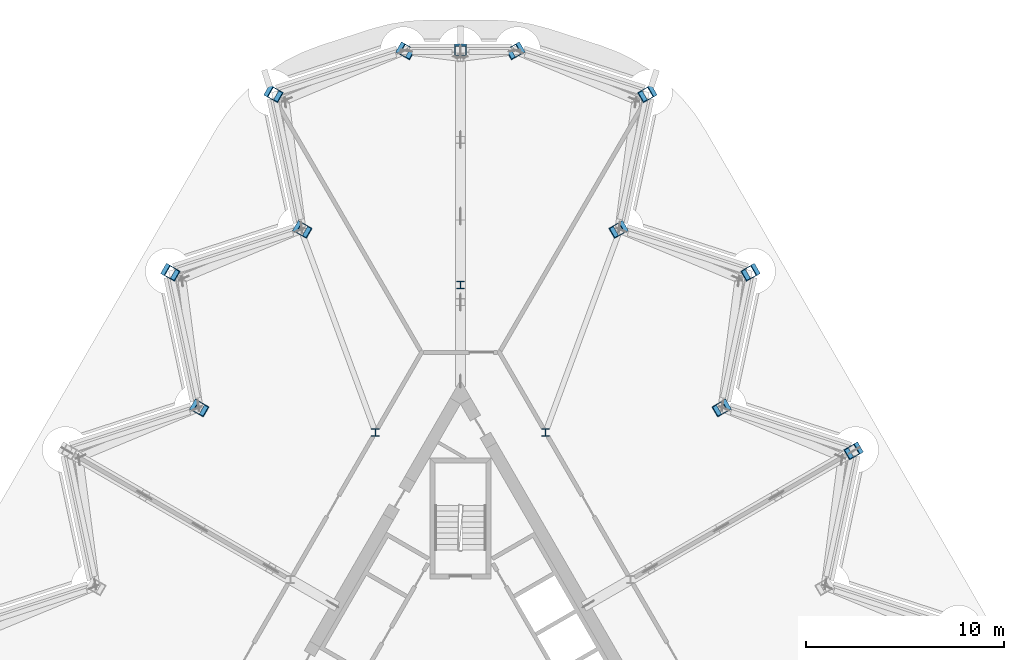
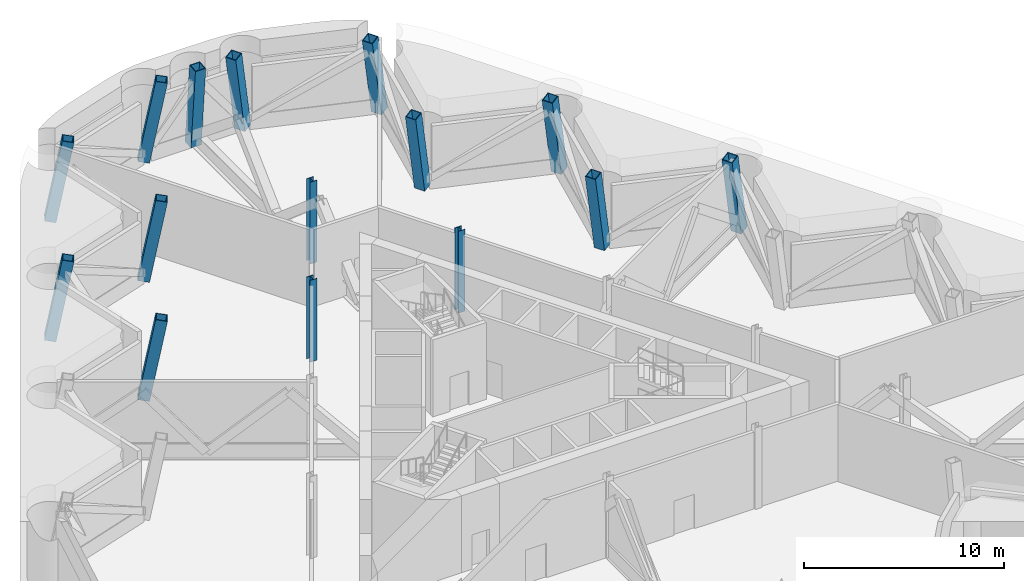
# One storey, part 3 of 16: 15 columns.
"""IFC4 building model written with IfcOpenShell, lengths in metres."""

from ifc_helpers import new_model, si_unit, direction, frame, origin, origin_2d, place, context, subcontext, project, spatial, hollow_rectangle, i_section, extrude, material, material_profile, profile_set, type_object, element, save


model = new_model("IFC4")

# Units and contexts
model_context = context("Model", 3, precision=1e-05, world=origin(), true_north=direction((0.0, 1.0)))
body_context = subcontext(model_context, "Body", "Model", "MODEL_VIEW")
ifc_project = project(units=[si_unit("LENGTHUNIT", "METRE"), si_unit("AREAUNIT", "SQUARE_METRE"), si_unit("VOLUMEUNIT", "CUBIC_METRE"), si_unit("PLANEANGLEUNIT", "RADIAN"), si_unit("MASSUNIT", "GRAM", prefix="KILO")], contexts=[model_context])

# Site, building, storey
site_placement = place(None, origin())
site = spatial("IfcSite", under=ifc_project, at=site_placement, CompositionType="ELEMENT")
building_placement = place(site_placement, origin())
building = spatial("IfcBuilding", under=site, at=building_placement, Name="Cormorant Prow Tower", CompositionType="ELEMENT")
storey_placement = place(building_placement, frame((0.0, 0.0, 356.0)))
storey = spatial("IfcBuildingStorey", under=building, at=storey_placement, Name="L79", CompositionType="ELEMENT", Elevation=356.0)

# Columns
ifc_material_1 = material(Name="Structural steel ASTM A572 Gr 50", Category="steel")
ifc_material_profile_1 = material_profile(ifc_material_1, hollow_rectangle(XDim=0.60009765625, YDim=0.60009765625, WallThickness=0.0400390625, at=origin_2d()), Name="Box 600x600x40")
ifc_profile_set_1 = profile_set([ifc_material_profile_1], Name="Structural steel ASTM A572 Gr 50")
column_type_1 = type_object("IfcColumnType", Name="Perimeter box column 600x600x40", PredefinedType="COLUMN", material=ifc_profile_set_1)
for number, where, z_axis, x_axis, name in (
    (1, (19.925537109375, 11.504150390625, 0.0), (-0.156742519622, -0.090520725946, 0.98348247606), (0.500105201737, -0.865964657013, 0.0), "Perimeter column C6 at ENE05 L79"),
    (2, (13.27197265625, 13.666015625, 0.0), (-0.156978079326, -0.090422062824, 0.983453981214), (0.499133351175, -0.866525185869, 0.0), "Perimeter column C6 at ENE06 L79"),
    (3, (14.7265625, 20.509033203125, 0.0), (-0.156934644586, -0.090184596858, 0.9834827176), (0.498251782224, -0.86703238781, 0.0), "Perimeter column C6 at ENE07 L79"),
    (4, (8.072998046875, 22.6708984375, 0.0), (-0.157217019931, -0.090085256381, 0.983446722109), (0.497166029386, -0.867655426552, 0.0), "Perimeter column C6 at ENE08 L79"),
    (5, (9.52734375, 29.51416015625, 0.0), (-0.157126067965, -0.089896087784, 0.983478567213), (0.496595959902, -0.86798182735, 0.0), "Perimeter column C6 at ENE09 L79"),
    (6, (2.873779296875, 31.676025390625, 0.0), (-0.157361591689, -0.089797429496, 0.983449923035), (0.495625081357, -0.868536573052, 0.0), "Perimeter column C6 at N00 L79"),
):
    element("IfcColumn", number, at=place(storey_placement, frame(where, z_axis=z_axis, x_axis=x_axis)), inside=storey, type_object=column_type_1, Name=name, PredefinedType="COLUMN", context=body_context, shape_type="SweptSolid", body=[
        extrude(hollow_rectangle(XDim=0.60009765625, YDim=0.60009765625, WallThickness=0.0400390625, at=origin_2d()), frame((0.0, 0.0, 0.05517578125)), (0.0, 0.0, 1.0), 4.9736328125),
    ])
column_placement = place(storey_placement, frame((0.0, 31.676025390625, 0.0), z_axis=(0.0, -0.090930325692, 0.995857256774), x_axis=(1.0, 0.0, 0.0)))
element("IfcColumn", 7, at=column_placement, inside=storey, type_object=column_type_1, Name="Perimeter column C6 at N01 L79", PredefinedType="COLUMN", context=body_context, shape_type="SweptSolid", body=[
    extrude(hollow_rectangle(XDim=0.60009765625, YDim=0.60009765625, WallThickness=0.0400390625, at=origin_2d()), frame((0.0, 0.0, 0.02734375)), (0.0, 0.0, 1.0), 4.966064453125),
])
for number, where, z_axis, x_axis, name in (
    (8, (-2.873779296875, 31.676025390625, 0.0), (0.157361591689, -0.089797429496, 0.983449923035), (0.495625081357, 0.868536573052, 0.0), "Perimeter column C6 at WNW00 L79"),
    (9, (-9.52734375, 29.51416015625, 0.0), (0.157126067965, -0.089896087784, 0.983478567213), (0.496595959902, 0.86798182735, 0.0), "Perimeter column C6 at WNW01 L79"),
    (10, (-8.072998046875, 22.6708984375, 0.0), (0.157217019931, -0.090085256381, 0.983446722109), (0.497166029386, 0.867655426552, 0.0), "Perimeter column C6 at WNW02 L79"),
    (11, (-14.7265625, 20.509033203125, 0.0), (0.156934644586, -0.090184596858, 0.9834827176), (0.498251782224, 0.86703238781, 0.0), "Perimeter column C6 at WNW03 L79"),
    (12, (-13.27197265625, 13.666015625, 0.0), (0.156978079326, -0.090422062824, 0.983453981214), (0.499133351175, 0.866525185869, 0.0), "Perimeter column C6 at WNW04 L79"),
):
    element("IfcColumn", number, at=place(storey_placement, frame(where, z_axis=z_axis, x_axis=x_axis)), inside=storey, type_object=column_type_1, Name=name, PredefinedType="COLUMN", context=body_context, shape_type="SweptSolid", body=[
        extrude(hollow_rectangle(XDim=0.60009765625, YDim=0.60009765625, WallThickness=0.0400390625, at=origin_2d()), frame((0.0, 0.0, 0.05517578125)), (0.0, 0.0, 1.0), 4.9736328125),
    ])
ifc_material_2 = material(Name="Structural steel ASTM A992 Gr 50", Category="steel")
ifc_material_profile_2 = material_profile(ifc_material_2, i_section(OverallWidth=0.3955078125, OverallDepth=0.380615234375, WebThickness=0.018798828125, FlangeThickness=0.0302734375, at=origin_2d()), Name="W14x159")
ifc_profile_set_2 = profile_set([ifc_material_profile_2], Name="Structural steel ASTM A992 Gr 50")
column_type_2 = type_object("IfcColumnType", Name="Ring column W14x159", PredefinedType="COLUMN", material=ifc_profile_set_2)
for number, where, z_axis, x_axis, name in (
    (13, (0.0, 19.81103515625, 0.0), (0.0, 0.0, 1.0), (1.0, 0.0, 0.0), "Ring column 1 L79"),
    (14, (-4.289306640625, 12.3818359375, 0.0), (0.0, 0.0, 1.0), (1.0, 0.0, 0.0), "Ring column 2 L79"),
    (15, (4.289306640625, 12.3818359375, 0.0), (0.0, 0.0, 1.0), (1.0, 0.0, 0.0), "Ring column 12 L79"),
):
    element("IfcColumn", number, at=place(storey_placement, frame(where, z_axis=z_axis, x_axis=x_axis)), inside=storey, type_object=column_type_2, Name=name, PredefinedType="COLUMN", context=body_context, shape_type="SweptSolid", body=[
        extrude(i_section(OverallWidth=0.3955078125, OverallDepth=0.380615234375, WebThickness=0.018798828125, FlangeThickness=0.0302734375, at=origin_2d()), origin(), (0.0, 0.0, 1.0), 5.0),
    ])

save(model, "model.ifc")
